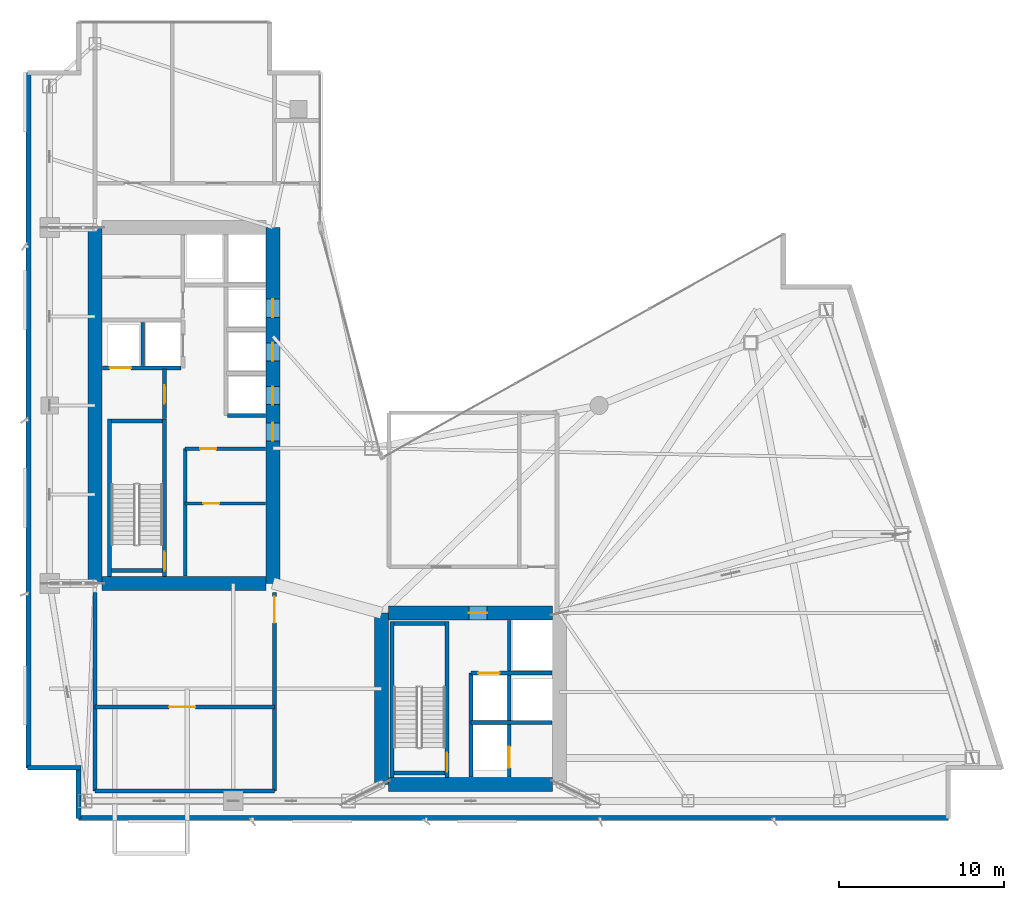
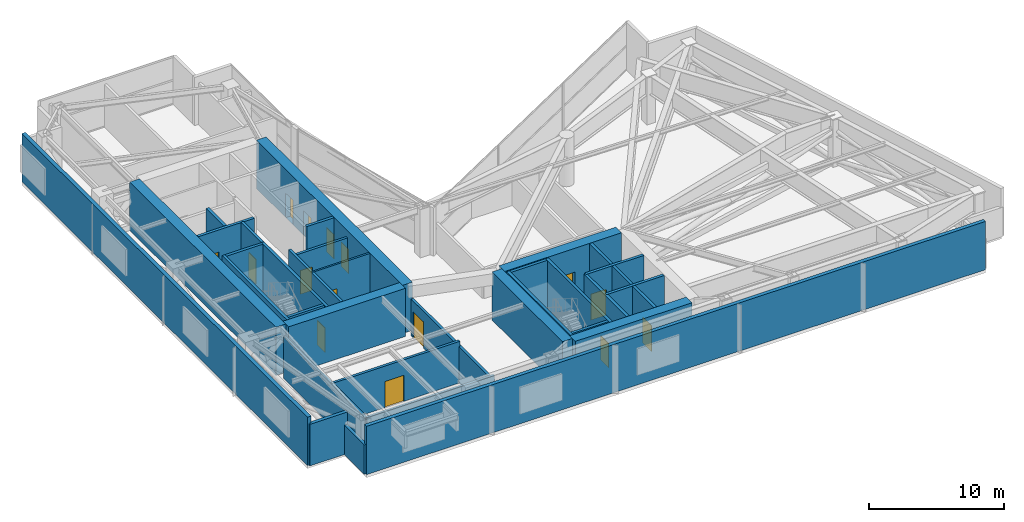
# One storey, part 13 of 17: 33 walls, 15 doors, 15 openings.
"""IFC4 building model written with IfcOpenShell, lengths in metres."""

from ifc_helpers import new_model, si_unit, direction, frame, frame_2d, origin, place, context, subcontext, project, spatial, rectangle, extrude, material, layer, layer_set, type_object, element, fill, save


model = new_model("IFC4")

# Units and contexts
model_context = context("Model", 3, precision=1e-05, world=origin(), true_north=direction((0.0, 1.0)))
body_context = subcontext(model_context, "Body", "Model", "MODEL_VIEW")
ifc_project = project(units=[si_unit("LENGTHUNIT", "METRE"), si_unit("AREAUNIT", "SQUARE_METRE"), si_unit("VOLUMEUNIT", "CUBIC_METRE"), si_unit("PLANEANGLEUNIT", "RADIAN"), si_unit("MASSUNIT", "GRAM", prefix="KILO")], contexts=[model_context])

# Site, building, storey
site_placement = place(None, origin())
site = spatial("IfcSite", under=ifc_project, at=site_placement, CompositionType="ELEMENT")
building_placement = place(site_placement, origin())
building = spatial("IfcBuilding", under=site, at=building_placement, Name="Calvorn Quay Hotel", CompositionType="ELEMENT")
storey_placement = place(building_placement, frame((0.0, 0.0, 186.5)))
storey = spatial("IfcBuildingStorey", under=building, at=storey_placement, Name="L46", CompositionType="ELEMENT", Elevation=186.5)

# Wall
ifc_material_1 = material(Name="Concrete C50", Category="concrete")
ifc_layer_1 = layer(ifc_material_1, 0.85009765625)
ifc_layer_set_1 = layer_set([ifc_layer_1], Name="WL-CORE-850")
wall_type_1 = type_object("IfcWallType", Name="WL-CORE-850", PredefinedType="SHEAR", material=ifc_layer_set_1)
wall_1_placement = place(storey_placement, frame((4.199951171875, 16.800048828125, 0.0), z_axis=(0.0, 0.0, 1.0), x_axis=(0.0, 1.0, 0.0)))
element("IfcWall", 1, at=wall_1_placement, inside=storey, type_object=wall_type_1, Name="West Core Shear Wall W (L46)", PredefinedType="SHEAR", context=body_context, shape_type="SweptSolid", body=[
    extrude(rectangle(XDim=21.599853515625, YDim=0.85009765625, at=frame_2d((10.7998046875, 0.0))), origin(), (0.0, 0.0, 1.0), 4.35009765625),
])

# Wall, openings, doors
wall_2_placement = place(storey_placement, frame((15.0, 16.800048828125, 0.0), z_axis=(0.0, 0.0, 1.0), x_axis=(0.0, 1.0, 0.0)))
wall_2 = element("IfcWall", 2, at=wall_2_placement, inside=storey, type_object=wall_type_1, Name="West Core Shear Wall E (L46)", PredefinedType="SHEAR", context=body_context, shape_type="SweptSolid", body=[
    extrude(rectangle(XDim=21.599853515625, YDim=0.85009765625, at=frame_2d((10.7998046875, 0.0))), origin(), (0.0, 0.0, 1.0), 4.35009765625),
])
opening_1_placement = place(wall_2_placement, frame((8.64990234375, 0.0, 0.0)))
opening_1 = element("IfcOpeningElement", 3, at=opening_1_placement, cuts=wall_2, Name="Opening D-L46-CW1", PredefinedType="OPENING", context=body_context, shape_type="SweptSolid", body=[
    extrude(rectangle(XDim=1.10009765625, YDim=2.199951171875, at=frame_2d((0.550048828125, 1.10009765625))), frame((0.0, 0.43505859375, 0.0), z_axis=(0.0, -1.0, 0.0), x_axis=(1.0, 0.0, 0.0)), (0.0, 0.0, 1.0), 0.8701171875),
])
opening_2_placement = place(wall_2_placement, frame((10.85009765625, 0.0, 0.0)))
opening_2 = element("IfcOpeningElement", 4, at=opening_2_placement, cuts=wall_2, Name="Opening LD-L46-M1", PredefinedType="OPENING", context=body_context, shape_type="SweptSolid", body=[
    extrude(rectangle(XDim=1.10009765625, YDim=2.199951171875, at=frame_2d((0.550048828125, 1.10009765625))), frame((0.0, 0.43505859375, 0.0), z_axis=(0.0, -1.0, 0.0), x_axis=(1.0, 0.0, 0.0)), (0.0, 0.0, 1.0), 0.8701171875),
])
opening_3_placement = place(wall_2_placement, frame((13.5, 0.0, 0.0)))
opening_3 = element("IfcOpeningElement", 5, at=opening_3_placement, cuts=wall_2, Name="Opening LD-L46-M2", PredefinedType="OPENING", context=body_context, shape_type="SweptSolid", body=[
    extrude(rectangle(XDim=1.10009765625, YDim=2.199951171875, at=frame_2d((0.550048828125, 1.10009765625))), frame((0.0, 0.43505859375, 0.0), z_axis=(0.0, -1.0, 0.0), x_axis=(1.0, 0.0, 0.0)), (0.0, 0.0, 1.0), 0.8701171875),
])
opening_4_placement = place(wall_2_placement, frame((16.14990234375, 0.0, 0.0)))
opening_4 = element("IfcOpeningElement", 6, at=opening_4_placement, cuts=wall_2, Name="Opening LD-L46-M3", PredefinedType="OPENING", context=body_context, shape_type="SweptSolid", body=[
    extrude(rectangle(XDim=1.10009765625, YDim=2.199951171875, at=frame_2d((0.550048828125, 1.10009765625))), frame((0.0, 0.43505859375, 0.0), z_axis=(0.0, -1.0, 0.0), x_axis=(1.0, 0.0, 0.0)), (0.0, 0.0, 1.0), 0.8701171875),
])
ifc_material_2 = material(Name="Smoke-Sealed Steel Class A Fire Door", Category="steel")
door_type_1 = type_object("IfcDoorType", Name="DR-FFLOBBY-1100", OperationType="NOTDEFINED", PredefinedType="DOOR", material=ifc_material_2)
door_1_placement = place(opening_1_placement, origin())
door_1 = element("IfcDoor", 7, at=door_1_placement, inside=storey, type_object=door_type_1, Name="West Core Vestibule Fire Door (L46)", OperationType="SINGLE_SWING_LEFT", OverallHeight=2.199951171875, OverallWidth=1.10009765625, PredefinedType="DOOR", context=body_context, shape_type="SweptSolid", body=[
    extrude(rectangle(XDim=1.10009765625, YDim=2.199951171875, at=frame_2d((0.550048828125, 1.10009765625))), frame((0.0, 0.02490234375, 0.0), z_axis=(0.0, -1.0, 0.0), x_axis=(1.0, 0.0, 0.0)), (0.0, 0.0, 1.0), 0.050048828125),
])
fill(opening_1, door_1)
ifc_material_3 = material(Name="Brushed Stainless Steel Sliding Lift Landing Door", Category="steel")
door_type_2 = type_object("IfcDoorType", Name="DR-LIFT-PASS-1100", OperationType="NOTDEFINED", PredefinedType="DOOR", material=ifc_material_3)
door_2_placement = place(opening_2_placement, origin())
door_2 = element("IfcDoor", 8, at=door_2_placement, inside=storey, type_object=door_type_2, Name="Mid-Rise Lift PL-M1 Landing Door (L46)", OperationType="DOUBLE_DOOR_SLIDING", OverallHeight=2.199951171875, OverallWidth=1.10009765625, PredefinedType="DOOR", context=body_context, shape_type="SweptSolid", body=[
    extrude(rectangle(XDim=1.10009765625, YDim=2.199951171875, at=frame_2d((0.550048828125, 1.10009765625))), frame((0.0, 0.02490234375, 0.0), z_axis=(0.0, -1.0, 0.0), x_axis=(1.0, 0.0, 0.0)), (0.0, 0.0, 1.0), 0.050048828125),
])
fill(opening_2, door_2)
door_3_placement = place(opening_3_placement, origin())
door_3 = element("IfcDoor", 9, at=door_3_placement, inside=storey, type_object=door_type_2, Name="Mid-Rise Lift PL-M2 Landing Door (L46)", OperationType="DOUBLE_DOOR_SLIDING", OverallHeight=2.199951171875, OverallWidth=1.10009765625, PredefinedType="DOOR", context=body_context, shape_type="SweptSolid", body=[
    extrude(rectangle(XDim=1.10009765625, YDim=2.199951171875, at=frame_2d((0.550048828125, 1.10009765625))), frame((0.0, 0.02490234375, 0.0), z_axis=(0.0, -1.0, 0.0), x_axis=(1.0, 0.0, 0.0)), (0.0, 0.0, 1.0), 0.050048828125),
])
fill(opening_3, door_3)
door_4_placement = place(opening_4_placement, origin())
door_4 = element("IfcDoor", 10, at=door_4_placement, inside=storey, type_object=door_type_2, Name="Mid-Rise Lift PL-M3 Landing Door (L46)", OperationType="DOUBLE_DOOR_SLIDING", OverallHeight=2.199951171875, OverallWidth=1.10009765625, PredefinedType="DOOR", context=body_context, shape_type="SweptSolid", body=[
    extrude(rectangle(XDim=1.10009765625, YDim=2.199951171875, at=frame_2d((0.550048828125, 1.10009765625))), frame((0.0, 0.02490234375, 0.0), z_axis=(0.0, -1.0, 0.0), x_axis=(1.0, 0.0, 0.0)), (0.0, 0.0, 1.0), 0.050048828125),
])
fill(opening_4, door_4)

# Walls
wall_3_placement = place(storey_placement, frame((4.625, 16.800048828125, 0.0), z_axis=(0.0, 0.0, 1.0), x_axis=(1.0, 0.0, 0.0)))
element("IfcWall", 11, at=wall_3_placement, inside=storey, type_object=wall_type_1, Name="West Core Shear Wall S (L46)", PredefinedType="SHEAR", context=body_context, shape_type="SweptSolid", body=[
    extrude(rectangle(XDim=9.949951171875, YDim=0.85009765625, at=frame_2d((4.97509765625, 0.0))), origin(), (0.0, 0.0, 1.0), 4.35009765625),
])
wall_4_placement = place(storey_placement, frame((21.60009765625, 4.60009765625, 0.0), z_axis=(0.0, 0.0, 1.0), x_axis=(0.0, 1.0, 0.0)))
element("IfcWall", 12, at=wall_4_placement, inside=storey, type_object=wall_type_1, Name="East Core Shear Wall W (L46)", PredefinedType="SHEAR", context=body_context, shape_type="SweptSolid", body=[
    extrude(rectangle(XDim=10.39990234375, YDim=0.85009765625, at=frame_2d((5.199951171875, 0.0))), origin(), (0.0, 0.0, 1.0), 4.35009765625),
])

# Wall, opening, door
wall_5_placement = place(storey_placement, frame((22.02490234375, 15.0, 0.0), z_axis=(0.0, 0.0, 1.0), x_axis=(1.0, 0.0, 0.0)))
wall_5 = element("IfcWall", 13, at=wall_5_placement, inside=storey, type_object=wall_type_1, Name="East Core Shear Wall N (L46)", PredefinedType="SHEAR", context=body_context, shape_type="SweptSolid", body=[
    extrude(rectangle(XDim=9.9501953125, YDim=0.85009765625, at=frame_2d((4.97509765625, 0.0))), origin(), (0.0, 0.0, 1.0), 4.35009765625),
])
opening_5_placement = place(wall_5_placement, frame((4.8798828125, 0.0, 0.0)))
opening_5 = element("IfcOpeningElement", 14, at=opening_5_placement, cuts=wall_5, Name="Opening D-L46-FLE", PredefinedType="OPENING", context=body_context, shape_type="SweptSolid", body=[
    extrude(rectangle(XDim=1.10009765625, YDim=2.199951171875, at=frame_2d((0.550048828125, 1.10009765625))), frame((0.0, 0.43505859375, 0.0), z_axis=(0.0, -1.0, 0.0), x_axis=(1.0, 0.0, 0.0)), (0.0, 0.0, 1.0), 0.8701171875),
])
door_5_placement = place(opening_5_placement, origin())
door_5 = element("IfcDoor", 15, at=door_5_placement, inside=storey, type_object=door_type_1, Name="East Firefighting Lobby Fire Door (L46)", OperationType="SINGLE_SWING_RIGHT", OverallHeight=2.199951171875, OverallWidth=1.10009765625, PredefinedType="DOOR", context=body_context, shape_type="SweptSolid", body=[
    extrude(rectangle(XDim=1.10009765625, YDim=2.199951171875, at=frame_2d((0.550048828125, 1.10009765625))), frame((0.0, 0.02490234375, 0.0), z_axis=(0.0, -1.0, 0.0), x_axis=(1.0, 0.0, 0.0)), (0.0, 0.0, 1.0), 0.050048828125),
])
fill(opening_5, door_5)

# Walls
wall_6_placement = place(storey_placement, frame((22.02490234375, 4.60009765625, 0.0), z_axis=(0.0, 0.0, 1.0), x_axis=(1.0, 0.0, 0.0)))
element("IfcWall", 16, at=wall_6_placement, inside=storey, type_object=wall_type_1, Name="East Core Shear Wall S (L46)", PredefinedType="SHEAR", context=body_context, shape_type="SweptSolid", body=[
    extrude(rectangle(XDim=9.9501953125, YDim=0.85009765625, at=frame_2d((4.97509765625, 0.0))), origin(), (0.0, 0.0, 1.0), 4.35009765625),
])
ifc_material_4 = material(Name="Concrete C40", Category="concrete")
ifc_layer_2 = layer(ifc_material_4, 0.320068359375)
ifc_layer_set_2 = layer_set([ifc_layer_2], Name="WL-EXT-SPANDREL-320")
wall_type_2 = type_object("IfcWallType", Name="WL-EXT-SPANDREL-320", PredefinedType="SOLIDWALL", material=ifc_layer_set_2)
wall_7_placement = place(storey_placement, frame((0.159912109375, 5.60009765625, 0.0), z_axis=(0.0, 0.0, 1.0), x_axis=(0.0, 1.0, 0.0)))
element("IfcWall", 17, at=wall_7_placement, inside=storey, type_object=wall_type_2, Name="Refuge Mechanical Louvre Spandrel Wall West (L46)", PredefinedType="SOLIDWALL", context=body_context, shape_type="SweptSolid", body=[
    extrude(rectangle(XDim=42.199951171875, YDim=0.320068359375, at=frame_2d((21.10009765625, 0.0))), origin(), (0.0, 0.0, 1.0), 4.35009765625),
])
wall_8_placement = place(storey_placement, frame((3.199951171875, 2.56005859375, 0.0), z_axis=(0.0, 0.0, 1.0), x_axis=(1.0, 0.0, 0.0)))
element("IfcWall", 18, at=wall_8_placement, inside=storey, type_object=wall_type_2, Name="Refuge Mechanical Louvre Spandrel Wall South (L46)", PredefinedType="SOLIDWALL", context=body_context, shape_type="SweptSolid", body=[
    extrude(rectangle(XDim=52.800048828125, YDim=0.320068359375, at=frame_2d((26.39990234375, 0.0))), origin(), (0.0, 0.0, 1.0), 4.35009765625),
])
wall_9_placement = place(storey_placement, frame((0.1201171875, 5.60009765625, 0.0), z_axis=(0.0, 0.0, 1.0), x_axis=(1.0, 0.0, 0.0)))
element("IfcWall", 19, at=wall_9_placement, inside=storey, type_object=wall_type_2, Name="Notched Corner Spandrel L46-SW1", PredefinedType="SOLIDWALL", context=body_context, shape_type="SweptSolid", body=[
    extrude(rectangle(XDim=3.219970703125, YDim=0.280029296875, at=frame_2d((1.60986328125, 0.0))), origin(), (0.0, 0.0, 1.0), 3.75),
])
wall_10_placement = place(storey_placement, frame((3.199951171875, 5.4599609375, 0.0), z_axis=(0.0, 0.0, 1.0), x_axis=(0.0, -1.0, 0.0)))
element("IfcWall", 20, at=wall_10_placement, inside=storey, type_object=wall_type_2, Name="Notched Corner Spandrel L46-SW2", PredefinedType="SOLIDWALL", context=body_context, shape_type="SweptSolid", body=[
    extrude(rectangle(XDim=2.93994140625, YDim=0.280029296875, at=frame_2d((1.469970703125, 0.0))), origin(), (0.0, 0.0, 1.0), 2.64990234375),
])

# Wall, opening, door
ifc_material_5 = material(Name="Double-Stud Acoustic Gypsum Partition")
ifc_layer_3 = layer(ifc_material_5, 0.159912109375)
ifc_layer_set_3 = layer_set([ifc_layer_3], Name="WL-INTERSUITE-160")
wall_type_3 = type_object("IfcWallType", Name="WL-INTERSUITE-160", PredefinedType="PARTITIONING", material=ifc_layer_set_3)
wall_11_placement = place(storey_placement, frame((9.679931640625, 21.64990234375, 0.0), z_axis=(0.0, 0.0, 1.0), x_axis=(1.0, 0.0, 0.0)))
wall_11 = element("IfcWall", 21, at=wall_11_placement, inside=storey, type_object=wall_type_3, Name="Partition Wall L46-WL-CWW-FR-SPLIT", PredefinedType="PARTITIONING", context=body_context, shape_type="SweptSolid", body=[
    extrude(rectangle(XDim=4.875, YDim=0.159912109375, at=frame_2d((2.4375, 0.0))), origin(), (0.0, 0.0, 1.0), 4.35009765625),
])
opening_6_placement = place(wall_11_placement, frame((1.10009765625, 0.0, 0.0)))
opening_6 = element("IfcOpeningElement", 22, at=opening_6_placement, cuts=wall_11, Name="Opening D-L46-FRL1", PredefinedType="OPENING", context=body_context, shape_type="SweptSolid", body=[
    extrude(rectangle(XDim=0.97998046875, YDim=2.14990234375, at=frame_2d((0.489990234375, 1.074951171875))), frame((0.0, 0.08984375, 0.0), z_axis=(0.0, -1.0, 0.0), x_axis=(1.0, 0.0, 0.0)), (0.0, 0.0, 1.0), 0.179931640625),
])
ifc_material_6 = material(Name="Painted Steel Housekeeping/Riser Fire Door", Category="steel")
door_type_3 = type_object("IfcDoorType", Name="DR-SERVICE-980", OperationType="NOTDEFINED", PredefinedType="DOOR", material=ifc_material_6)
door_6_placement = place(opening_6_placement, origin())
door_6 = element("IfcDoor", 23, at=door_6_placement, inside=storey, type_object=door_type_3, Name="Linen Store Room Door (L46)", OperationType="SINGLE_SWING_LEFT", OverallHeight=2.14990234375, OverallWidth=0.97998046875, PredefinedType="DOOR", context=body_context, shape_type="SweptSolid", body=[
    extrude(rectangle(XDim=0.97998046875, YDim=2.14990234375, at=frame_2d((0.489990234375, 1.074951171875))), frame((0.0, 0.02490234375, 0.0), z_axis=(0.0, -1.0, 0.0), x_axis=(1.0, 0.0, 0.0)), (0.0, 0.0, 1.0), 0.050048828125),
])
fill(opening_6, door_6)

# Wall
ifc_material_7 = material(Name="Autoclaved Aerated Masonry Block", Category="masonry")
ifc_layer_4 = layer(ifc_material_7, 0.219970703125)
ifc_layer_set_4 = layer_set([ifc_layer_4], Name="WL-LOBBY-FIRE-220")
wall_type_4 = type_object("IfcWallType", Name="WL-LOBBY-FIRE-220", PredefinedType="SOLIDWALL", material=ifc_layer_set_4)
wall_12_placement = place(storey_placement, frame((9.679931640625, 17.2451171875, 0.0), z_axis=(0.0, 0.0, 1.0), x_axis=(0.0, 1.0, 0.0)))
element("IfcWall", 24, at=wall_12_placement, inside=storey, type_object=wall_type_4, Name="Partition Wall L46-WL-CWW-STW-HALL-E", PredefinedType="SOLIDWALL", context=body_context, shape_type="SweptSolid", body=[
    extrude(rectangle(XDim=7.7548828125, YDim=0.219970703125, at=frame_2d((3.87744140625, 0.0))), origin(), (0.0, 0.0, 1.0), 4.35009765625),
])

# Wall, opening, door
wall_13_placement = place(storey_placement, frame((9.679931640625, 24.969970703125, 0.0), z_axis=(0.0, 0.0, 1.0), x_axis=(1.0, 0.0, 0.0)))
wall_13 = element("IfcWall", 25, at=wall_13_placement, inside=storey, type_object=wall_type_4, Name="Partition Wall L46-WL-CWW-FR-N", PredefinedType="SOLIDWALL", context=body_context, shape_type="SweptSolid", body=[
    extrude(rectangle(XDim=4.875, YDim=0.219970703125, at=frame_2d((2.4375, 0.0))), origin(), (0.0, 0.0, 1.0), 3.75),
])
opening_7_placement = place(wall_13_placement, frame((0.89990234375, 0.0, 0.0)))
opening_7 = element("IfcOpeningElement", 26, at=opening_7_placement, cuts=wall_13, Name="Opening D-L46-FRL2", PredefinedType="OPENING", context=body_context, shape_type="SweptSolid", body=[
    extrude(rectangle(XDim=0.97998046875, YDim=2.14990234375, at=frame_2d((0.489990234375, 1.074951171875))), frame((0.0, 0.119873046875, 0.0), z_axis=(0.0, -1.0, 0.0), x_axis=(1.0, 0.0, 0.0)), (0.0, 0.0, 1.0), 0.239990234375),
])
door_7_placement = place(opening_7_placement, origin())
door_7 = element("IfcDoor", 27, at=door_7_placement, inside=storey, type_object=door_type_3, Name="Beverage Pantry Door (L46)", OperationType="SINGLE_SWING_RIGHT", OverallHeight=2.14990234375, OverallWidth=0.97998046875, PredefinedType="DOOR", context=body_context, shape_type="SweptSolid", body=[
    extrude(rectangle(XDim=0.97998046875, YDim=2.14990234375, at=frame_2d((0.489990234375, 1.074951171875))), frame((0.0, 0.02490234375, 0.0), z_axis=(0.0, -1.0, 0.0), x_axis=(1.0, 0.0, 0.0)), (0.0, 0.0, 1.0), 0.050048828125),
])
fill(opening_7, door_7)

# Walls
wall_14_placement = place(storey_placement, frame((4.199951171875, 4.199951171875, 0.0), z_axis=(0.0, 0.0, 1.0), x_axis=(0.0, 1.0, 0.0)))
element("IfcWall", 28, at=wall_14_placement, inside=storey, type_object=wall_type_4, Name="Partition Wall L46-WL-RF-BELT-W", PredefinedType="SOLIDWALL", context=body_context, shape_type="SweptSolid", body=[
    extrude(rectangle(XDim=12.050048828125, YDim=0.219970703125, at=frame_2d((6.02490234375, 0.0))), origin(), (0.0, 0.0, 1.0), 3.75),
])
wall_15_placement = place(storey_placement, frame((4.199951171875, 4.199951171875, 0.0), z_axis=(0.0, 0.0, 1.0), x_axis=(1.0, 0.0, 0.0)))
element("IfcWall", 29, at=wall_15_placement, inside=storey, type_object=wall_type_4, Name="Partition Wall L46-WL-RF-BELT-S", PredefinedType="SOLIDWALL", context=body_context, shape_type="SweptSolid", body=[
    extrude(rectangle(XDim=10.900146484375, YDim=0.219970703125, at=frame_2d((5.4501953125, 0.0))), origin(), (0.0, 0.0, 1.0), 3.75),
])

# Wall, opening, door
wall_16_placement = place(storey_placement, frame((4.199951171875, 9.300048828125, 0.0), z_axis=(0.0, 0.0, 1.0), x_axis=(1.0, 0.0, 0.0)))
wall_16 = element("IfcWall", 30, at=wall_16_placement, inside=storey, type_object=wall_type_4, Name="Partition Wall L46-WL-RF-PLT-M", PredefinedType="SOLIDWALL", context=body_context, shape_type="SweptSolid", body=[
    extrude(rectangle(XDim=10.900146484375, YDim=0.219970703125, at=frame_2d((5.4501953125, 0.0))), origin(), (0.0, 0.0, 1.0), 3.75),
])
opening_8_placement = place(wall_16_placement, frame((4.5, 0.0, 0.0)))
opening_8 = element("IfcOpeningElement", 31, at=opening_8_placement, cuts=wall_16, Name="Opening D-L46-P2", PredefinedType="OPENING", context=body_context, shape_type="SweptSolid", body=[
    extrude(rectangle(XDim=1.60009765625, YDim=2.35009765625, at=frame_2d((0.800048828125, 1.175048828125))), frame((0.0, 0.119873046875, 0.0), z_axis=(0.0, -1.0, 0.0), x_axis=(1.0, 0.0, 0.0)), (0.0, 0.0, 1.0), 0.239990234375),
])
ifc_material_8 = material(Name="Heavy-Duty Steel Acoustic Plant Fire Door", Category="steel")
door_type_4 = type_object("IfcDoorType", Name="DR-PLANT-DBL-1600", OperationType="NOTDEFINED", PredefinedType="DOOR", material=ifc_material_8)
door_8_placement = place(opening_8_placement, origin())
door_8 = element("IfcDoor", 32, at=door_8_placement, inside=storey, type_object=door_type_4, Name="Fire Pump Room Door", OperationType="SINGLE_SWING_RIGHT", OverallHeight=2.35009765625, OverallWidth=1.60009765625, PredefinedType="DOOR", context=body_context, shape_type="SweptSolid", body=[
    extrude(rectangle(XDim=1.60009765625, YDim=2.35009765625, at=frame_2d((0.800048828125, 1.175048828125))), frame((0.0, 0.02490234375, 0.0), z_axis=(0.0, -1.0, 0.0), x_axis=(1.0, 0.0, 0.0)), (0.0, 0.0, 1.0), 0.050048828125),
])
fill(opening_8, door_8)

wall_17_placement = place(storey_placement, frame((15.10009765625, 4.199951171875, 0.0), z_axis=(0.0, 0.0, 1.0), x_axis=(0.0, 1.0, 0.0)))
wall_17 = element("IfcWall", 33, at=wall_17_placement, inside=storey, type_object=wall_type_4, Name="Partition Wall L46-WL-RF-PLT-E", PredefinedType="SOLIDWALL", context=body_context, shape_type="SweptSolid", body=[
    extrude(rectangle(XDim=12.050048828125, YDim=0.219970703125, at=frame_2d((6.02490234375, 0.0))), origin(), (0.0, 0.0, 1.0), 3.300048828125),
])
opening_9_placement = place(wall_17_placement, frame((10.199951171875, 0.0, 0.0)))
opening_9 = element("IfcOpeningElement", 34, at=opening_9_placement, cuts=wall_17, Name="Opening D-L46-P1", PredefinedType="OPENING", context=body_context, shape_type="SweptSolid", body=[
    extrude(rectangle(XDim=1.60009765625, YDim=2.35009765625, at=frame_2d((0.800048828125, 1.175048828125))), frame((0.0, 0.119873046875, 0.0), z_axis=(0.0, -1.0, 0.0), x_axis=(1.0, 0.0, 0.0)), (0.0, 0.0, 1.0), 0.239990234375),
])
door_9_placement = place(opening_9_placement, origin())
door_9 = element("IfcDoor", 35, at=door_9_placement, inside=storey, type_object=door_type_4, Name="HVAC Plant Fire Door", OperationType="SINGLE_SWING_LEFT", OverallHeight=2.35009765625, OverallWidth=1.60009765625, PredefinedType="DOOR", context=body_context, shape_type="SweptSolid", body=[
    extrude(rectangle(XDim=1.60009765625, YDim=2.35009765625, at=frame_2d((0.800048828125, 1.175048828125))), frame((0.0, 0.02490234375, 0.0), z_axis=(0.0, -1.0, 0.0), x_axis=(1.0, 0.0, 0.0)), (0.0, 0.0, 1.0), 0.050048828125),
])
fill(opening_9, door_9)

# Wall
ifc_material_9 = material(Name="Concrete C40", Category="concrete")
ifc_layer_5 = layer(ifc_material_9, 0.239990234375)
ifc_layer_set_5 = layer_set([ifc_layer_5], Name="WL-SHAFT-240")
wall_type_5 = type_object("IfcWallType", Name="WL-SHAFT-240", PredefinedType="SOLIDWALL", material=ifc_layer_set_5)
wall_18_placement = place(storey_placement, frame((5.080078125, 17.22509765625, 0.0), z_axis=(0.0, 0.0, 1.0), x_axis=(0.0, 1.0, 0.0)))
element("IfcWall", 36, at=wall_18_placement, inside=storey, type_object=wall_type_5, Name="Stair STW Shaft Wall W (L46)", PredefinedType="SOLIDWALL", context=body_context, shape_type="SweptSolid", body=[
    extrude(rectangle(XDim=9.56494140625, YDim=0.239990234375, at=frame_2d((4.782470703125, 0.0))), origin(), (0.0, 0.0, 1.0), 4.35009765625),
])

# Wall, opening, door
wall_19_placement = place(storey_placement, frame((8.419921875, 17.22509765625, 0.0), z_axis=(0.0, 0.0, 1.0), x_axis=(0.0, 1.0, 0.0)))
wall_19 = element("IfcWall", 37, at=wall_19_placement, inside=storey, type_object=wall_type_5, Name="Stair STW Shaft Wall E (L46)", PredefinedType="SOLIDWALL", context=body_context, shape_type="SweptSolid", body=[
    extrude(rectangle(XDim=9.56494140625, YDim=0.239990234375, at=frame_2d((4.782470703125, 0.0))), origin(), (0.0, 0.0, 1.0), 4.35009765625),
])
opening_10_placement = place(wall_19_placement, frame((0.35009765625, 0.0, 0.0)))
opening_10 = element("IfcOpeningElement", 38, at=opening_10_placement, cuts=wall_19, Name="Opening D-L46-STW", PredefinedType="OPENING", context=body_context, shape_type="SweptSolid", body=[
    extrude(rectangle(XDim=1.14990234375, YDim=2.199951171875, at=frame_2d((0.574951171875, 1.10009765625))), frame((0.0, 0.1298828125, 0.0), z_axis=(0.0, -1.0, 0.0), x_axis=(1.0, 0.0, 0.0)), (0.0, 0.0, 1.0), 0.260009765625),
])
ifc_material_10 = material(Name="Galvanised Steel Class A Fire Door", Category="steel")
door_type_5 = type_object("IfcDoorType", Name="DR-STAIR-SMOKE-1150", OperationType="NOTDEFINED", PredefinedType="DOOR", material=ifc_material_10)
door_10_placement = place(opening_10_placement, origin())
door_10 = element("IfcDoor", 39, at=door_10_placement, inside=storey, type_object=door_type_5, Name="Stair ST-W Fire Door (L46)", OperationType="SINGLE_SWING_LEFT", OverallHeight=2.199951171875, OverallWidth=1.14990234375, PredefinedType="DOOR", context=body_context, shape_type="SweptSolid", body=[
    extrude(rectangle(XDim=1.14990234375, YDim=2.199951171875, at=frame_2d((0.574951171875, 1.10009765625))), frame((0.0, 0.02490234375, 0.0), z_axis=(0.0, -1.0, 0.0), x_axis=(1.0, 0.0, 0.0)), (0.0, 0.0, 1.0), 0.050048828125),
])
fill(opening_10, door_10)

# Walls
for number, where, z_axis, x_axis, name in (
    (40, (5.199951171875, 17.580078125, 0.0), (0.0, 0.0, 1.0), (1.0, 0.0, 0.0), "Stair STW Shaft Wall S (L46)"),
    (41, (5.199951171875, 26.669921875, 0.0), (0.0, 0.0, 1.0), (1.0, 0.0, 0.0), "Stair STW Shaft Wall N (L46)"),
):
    element("IfcWall", number, at=place(storey_placement, frame(where, z_axis=z_axis, x_axis=x_axis)), inside=storey, type_object=wall_type_5, Name=name, PredefinedType="SOLIDWALL", context=body_context, shape_type="SweptSolid", body=[
        extrude(rectangle(XDim=3.10009765625, YDim=0.239990234375, at=frame_2d((1.550048828125, 0.0))), origin(), (0.0, 0.0, 1.0), 4.35009765625),
    ])
wall_20_placement = place(storey_placement, frame((22.22998046875, 5.02490234375, 0.0), z_axis=(0.0, 0.0, 1.0), x_axis=(0.0, 1.0, 0.0)))
element("IfcWall", 42, at=wall_20_placement, inside=storey, type_object=wall_type_5, Name="Stair STE Shaft Wall W (L46)", PredefinedType="SOLIDWALL", context=body_context, shape_type="SweptSolid", body=[
    extrude(rectangle(XDim=9.465087890625, YDim=0.239990234375, at=frame_2d((4.732421875, 0.0))), origin(), (0.0, 0.0, 1.0), 4.35009765625),
])

# Wall, opening, door
wall_21_placement = place(storey_placement, frame((25.570068359375, 5.02490234375, 0.0), z_axis=(0.0, 0.0, 1.0), x_axis=(0.0, 1.0, 0.0)))
wall_21 = element("IfcWall", 43, at=wall_21_placement, inside=storey, type_object=wall_type_5, Name="Stair STE Shaft Wall E (L46)", PredefinedType="SOLIDWALL", context=body_context, shape_type="SweptSolid", body=[
    extrude(rectangle(XDim=9.465087890625, YDim=0.239990234375, at=frame_2d((4.732421875, 0.0))), origin(), (0.0, 0.0, 1.0), 4.35009765625),
])
opening_11_placement = place(wall_21_placement, frame((0.35009765625, 0.0, 0.0)))
opening_11 = element("IfcOpeningElement", 44, at=opening_11_placement, cuts=wall_21, Name="Opening D-L46-STE", PredefinedType="OPENING", context=body_context, shape_type="SweptSolid", body=[
    extrude(rectangle(XDim=1.14990234375, YDim=2.199951171875, at=frame_2d((0.574951171875, 1.10009765625))), frame((0.0, 0.1298828125, 0.0), z_axis=(0.0, -1.0, 0.0), x_axis=(1.0, 0.0, 0.0)), (0.0, 0.0, 1.0), 0.260009765625),
])
door_11_placement = place(opening_11_placement, origin())
door_11 = element("IfcDoor", 45, at=door_11_placement, inside=storey, type_object=door_type_5, Name="Stair ST-E Fire Door (L46)", OperationType="SINGLE_SWING_RIGHT", OverallHeight=2.199951171875, OverallWidth=1.14990234375, PredefinedType="DOOR", context=body_context, shape_type="SweptSolid", body=[
    extrude(rectangle(XDim=1.14990234375, YDim=2.199951171875, at=frame_2d((0.574951171875, 1.10009765625))), frame((0.0, 0.02490234375, 0.0), z_axis=(0.0, -1.0, 0.0), x_axis=(1.0, 0.0, 0.0)), (0.0, 0.0, 1.0), 0.050048828125),
])
fill(opening_11, door_11)

# Walls
for number, where, z_axis, x_axis, name in (
    (46, (22.35009765625, 5.280029296875, 0.0), (0.0, 0.0, 1.0), (1.0, 0.0, 0.0), "Stair STE Shaft Wall S (L46)"),
    (47, (22.35009765625, 14.3701171875, 0.0), (0.0, 0.0, 1.0), (1.0, 0.0, 0.0), "Stair STE Shaft Wall N (L46)"),
):
    element("IfcWall", number, at=place(storey_placement, frame(where, z_axis=z_axis, x_axis=x_axis)), inside=storey, type_object=wall_type_5, Name=name, PredefinedType="SOLIDWALL", context=body_context, shape_type="SweptSolid", body=[
        extrude(rectangle(XDim=3.099853515625, YDim=0.239990234375, at=frame_2d((1.5498046875, 0.0))), origin(), (0.0, 0.0, 1.0), 4.35009765625),
    ])

# Wall, opening, door
wall_22_placement = place(storey_placement, frame((8.419921875, 26.820068359375, 0.0), z_axis=(0.0, 0.0, 1.0), x_axis=(0.0, 1.0, 0.0)))
wall_22 = element("IfcWall", 48, at=wall_22_placement, inside=storey, type_object=wall_type_5, Name="Partition Wall L46-WL-CWW-FFL-E", PredefinedType="SOLIDWALL", context=body_context, shape_type="SweptSolid", body=[
    extrude(rectangle(XDim=3.0, YDim=0.239990234375, at=frame_2d((1.5, 0.0))), origin(), (0.0, 0.0, 1.0), 4.35009765625),
])
opening_12_placement = place(wall_22_placement, frame((0.89990234375, 0.0, 0.0)))
opening_12 = element("IfcOpeningElement", 49, at=opening_12_placement, cuts=wall_22, Name="Opening D-L46-FLW", PredefinedType="OPENING", context=body_context, shape_type="SweptSolid", body=[
    extrude(rectangle(XDim=1.10009765625, YDim=2.199951171875, at=frame_2d((0.550048828125, 1.10009765625))), frame((0.0, 0.1298828125, 0.0), z_axis=(0.0, -1.0, 0.0), x_axis=(1.0, 0.0, 0.0)), (0.0, 0.0, 1.0), 0.260009765625),
])
door_12_placement = place(opening_12_placement, origin())
door_12 = element("IfcDoor", 50, at=door_12_placement, inside=storey, type_object=door_type_1, Name="West Firefighting Lobby Fire Door (L46)", OperationType="SINGLE_SWING_RIGHT", OverallHeight=2.199951171875, OverallWidth=1.10009765625, PredefinedType="DOOR", context=body_context, shape_type="SweptSolid", body=[
    extrude(rectangle(XDim=1.10009765625, YDim=2.199951171875, at=frame_2d((0.550048828125, 1.10009765625))), frame((0.0, 0.02490234375, 0.0), z_axis=(0.0, -1.0, 0.0), x_axis=(1.0, 0.0, 0.0)), (0.0, 0.0, 1.0), 0.050048828125),
])
fill(opening_12, door_12)

wall_23_placement = place(storey_placement, frame((4.64501953125, 29.8798828125, 0.0), z_axis=(0.0, 0.0, 1.0), x_axis=(1.0, 0.0, 0.0)))
wall_23 = element("IfcWall", 51, at=wall_23_placement, inside=storey, type_object=wall_type_5, Name="Partition Wall L46-WL-CWW-FLW-S", PredefinedType="SOLIDWALL", context=body_context, shape_type="SweptSolid", body=[
    extrude(rectangle(XDim=4.77490234375, YDim=0.239990234375, at=frame_2d((2.387451171875, 0.0))), origin(), (0.0, 0.0, 1.0), 4.35009765625),
])
opening_13_placement = place(wall_23_placement, frame((0.449951171875, 0.0, 0.0)))
opening_13 = element("IfcOpeningElement", 52, at=opening_13_placement, cuts=wall_23, Name="Opening LD-L46-FLW1", PredefinedType="OPENING", context=body_context, shape_type="SweptSolid", body=[
    extrude(rectangle(XDim=1.300048828125, YDim=2.35009765625, at=frame_2d((0.64990234375, 1.175048828125))), frame((0.0, 0.1298828125, 0.0), z_axis=(0.0, -1.0, 0.0), x_axis=(1.0, 0.0, 0.0)), (0.0, 0.0, 1.0), 0.260009765625),
])
ifc_material_11 = material(Name="Champagne-Bronze Sliding Express Lift Landing Door")
door_type_6 = type_object("IfcDoorType", Name="DR-LIFT-SHUTTLE-1300", OperationType="NOTDEFINED", PredefinedType="DOOR", material=ifc_material_11)
door_13_placement = place(opening_13_placement, origin())
door_13 = element("IfcDoor", 53, at=door_13_placement, inside=storey, type_object=door_type_6, Name="Firefighting Lift FL-W1 Landing Door (L46)", OperationType="DOUBLE_DOOR_SLIDING", OverallHeight=2.35009765625, OverallWidth=1.300048828125, PredefinedType="DOOR", context=body_context, shape_type="SweptSolid", body=[
    extrude(rectangle(XDim=1.300048828125, YDim=2.35009765625, at=frame_2d((0.64990234375, 1.175048828125))), frame((0.0, 0.02490234375, 0.0), z_axis=(0.0, -1.0, 0.0), x_axis=(1.0, 0.0, 0.0)), (0.0, 0.0, 1.0), 0.050048828125),
])
fill(opening_13, door_13)

# Walls
wall_24_placement = place(storey_placement, frame((7.10009765625, 30.02001953125, 0.0), z_axis=(0.0, 0.0, 1.0), x_axis=(0.0, 1.0, 0.0)))
element("IfcWall", 54, at=wall_24_placement, inside=storey, type_object=wall_type_5, Name="Partition Wall L46-WL-CWW-FLW-DIV", PredefinedType="SOLIDWALL", context=body_context, shape_type="SweptSolid", body=[
    extrude(rectangle(XDim=2.6298828125, YDim=0.239990234375, at=frame_2d((1.31494140625, 0.0))), origin(), (0.0, 0.0, 1.0), 4.35009765625),
])
wall_25_placement = place(storey_placement, frame((12.25, 27.0, 0.0), z_axis=(0.0, 0.0, 1.0), x_axis=(1.0, 0.0, 0.0)))
element("IfcWall", 55, at=wall_25_placement, inside=storey, type_object=wall_type_5, Name="Partition Wall L46-WL-CWW-PLM-S", PredefinedType="SOLIDWALL", context=body_context, shape_type="SweptSolid", body=[
    extrude(rectangle(XDim=2.304931640625, YDim=0.239990234375, at=frame_2d((1.15234375, 0.0))), origin(), (0.0, 0.0, 1.0), 4.35009765625),
])
wall_26_placement = place(storey_placement, frame((27.02001953125, 5.044921875, 0.0), z_axis=(0.0, 0.0, 1.0), x_axis=(0.0, 1.0, 0.0)))
element("IfcWall", 56, at=wall_26_placement, inside=storey, type_object=wall_type_5, Name="Partition Wall L46-WL-CWE-SH-W", PredefinedType="SOLIDWALL", context=body_context, shape_type="SweptSolid", body=[
    extrude(rectangle(XDim=6.30517578125, YDim=0.239990234375, at=frame_2d((3.152587890625, 0.0))), origin(), (0.0, 0.0, 1.0), 4.35009765625),
])

# Wall, opening, door
wall_27_placement = place(storey_placement, frame((27.02001953125, 11.35009765625, 0.0), z_axis=(0.0, 0.0, 1.0), x_axis=(1.0, 0.0, 0.0)))
wall_27 = element("IfcWall", 57, at=wall_27_placement, inside=storey, type_object=wall_type_5, Name="Partition Wall L46-WL-CWE-FFL-S", PredefinedType="SOLIDWALL", context=body_context, shape_type="SweptSolid", body=[
    extrude(rectangle(XDim=4.93505859375, YDim=0.239990234375, at=frame_2d((2.467529296875, 0.0))), origin(), (0.0, 0.0, 1.0), 4.35009765625),
])
opening_14_placement = place(wall_27_placement, frame((0.449951171875, 0.0, 0.0)))
opening_14 = element("IfcOpeningElement", 58, at=opening_14_placement, cuts=wall_27, Name="Opening LD-L46-FLE1", PredefinedType="OPENING", context=body_context, shape_type="SweptSolid", body=[
    extrude(rectangle(XDim=1.300048828125, YDim=2.35009765625, at=frame_2d((0.64990234375, 1.175048828125))), frame((0.0, 0.1298828125, 0.0), z_axis=(0.0, -1.0, 0.0), x_axis=(1.0, 0.0, 0.0)), (0.0, 0.0, 1.0), 0.260009765625),
])
door_14_placement = place(opening_14_placement, origin())
door_14 = element("IfcDoor", 59, at=door_14_placement, inside=storey, type_object=door_type_6, Name="Firefighting Lift FL-E1 Landing Door (L46)", OperationType="DOUBLE_DOOR_SLIDING", OverallHeight=2.35009765625, OverallWidth=1.300048828125, PredefinedType="DOOR", context=body_context, shape_type="SweptSolid", body=[
    extrude(rectangle(XDim=1.300048828125, YDim=2.35009765625, at=frame_2d((0.64990234375, 1.175048828125))), frame((0.0, 0.02490234375, 0.0), z_axis=(0.0, -1.0, 0.0), x_axis=(1.0, 0.0, 0.0)), (0.0, 0.0, 1.0), 0.050048828125),
])
fill(opening_14, door_14)

# Wall
wall_28_placement = place(storey_placement, frame((27.02001953125, 8.35009765625, 0.0), z_axis=(0.0, 0.0, 1.0), x_axis=(1.0, 0.0, 0.0)))
element("IfcWall", 60, at=wall_28_placement, inside=storey, type_object=wall_type_5, Name="Partition Wall L46-WL-CWE-SL-N", PredefinedType="SOLIDWALL", context=body_context, shape_type="SweptSolid", body=[
    extrude(rectangle(XDim=4.93505859375, YDim=0.239990234375, at=frame_2d((2.467529296875, 0.0))), origin(), (0.0, 0.0, 1.0), 4.35009765625),
])

# Wall, opening, door
wall_29_placement = place(storey_placement, frame((29.35009765625, 5.044921875, 0.0), z_axis=(0.0, 0.0, 1.0), x_axis=(0.0, 1.0, 0.0)))
wall_29 = element("IfcWall", 61, at=wall_29_placement, inside=storey, type_object=wall_type_5, Name="Partition Wall L46-WL-CWE-OB-W", PredefinedType="SOLIDWALL", context=body_context, shape_type="SweptSolid", body=[
    extrude(rectangle(XDim=9.510009765625, YDim=0.239990234375, at=frame_2d((4.7548828125, 0.0))), origin(), (0.0, 0.0, 1.0), 4.35009765625),
])
opening_15_placement = place(wall_29_placement, frame((0.550048828125, 0.0, 0.0)))
opening_15 = element("IfcOpeningElement", 62, at=opening_15_placement, cuts=wall_29, Name="Opening LD-L46-SLEI", PredefinedType="OPENING", context=body_context, shape_type="SweptSolid", body=[
    extrude(rectangle(XDim=1.300048828125, YDim=2.35009765625, at=frame_2d((0.64990234375, 1.175048828125))), frame((0.0, 0.1298828125, 0.0), z_axis=(0.0, -1.0, 0.0), x_axis=(1.0, 0.0, 0.0)), (0.0, 0.0, 1.0), 0.260009765625),
])
door_15_placement = place(opening_15_placement, origin())
door_15 = element("IfcDoor", 63, at=door_15_placement, inside=storey, type_object=door_type_6, Name="Service Lift SL-E1 Landing Door (L46)", OperationType="DOUBLE_DOOR_SLIDING", OverallHeight=2.35009765625, OverallWidth=1.300048828125, PredefinedType="DOOR", context=body_context, shape_type="SweptSolid", body=[
    extrude(rectangle(XDim=1.300048828125, YDim=2.35009765625, at=frame_2d((0.64990234375, 1.175048828125))), frame((0.0, 0.02490234375, 0.0), z_axis=(0.0, -1.0, 0.0), x_axis=(1.0, 0.0, 0.0)), (0.0, 0.0, 1.0), 0.050048828125),
])
fill(opening_15, door_15)

save(model, "model.ifc")
